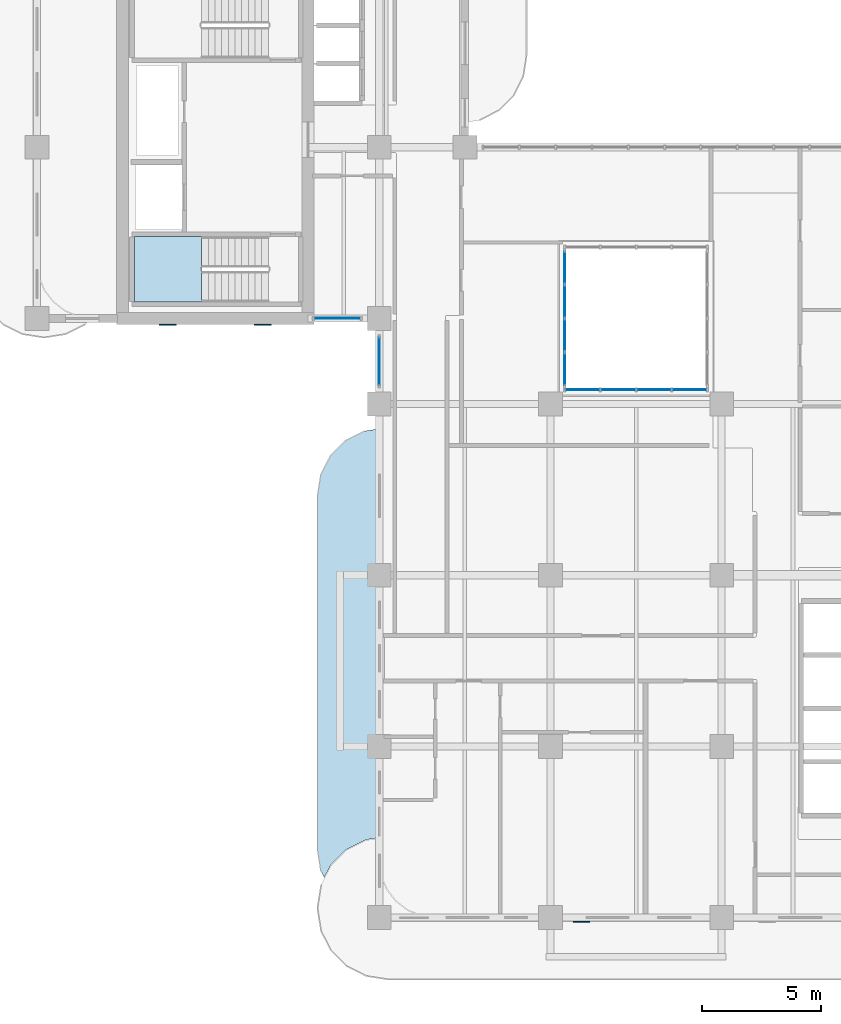
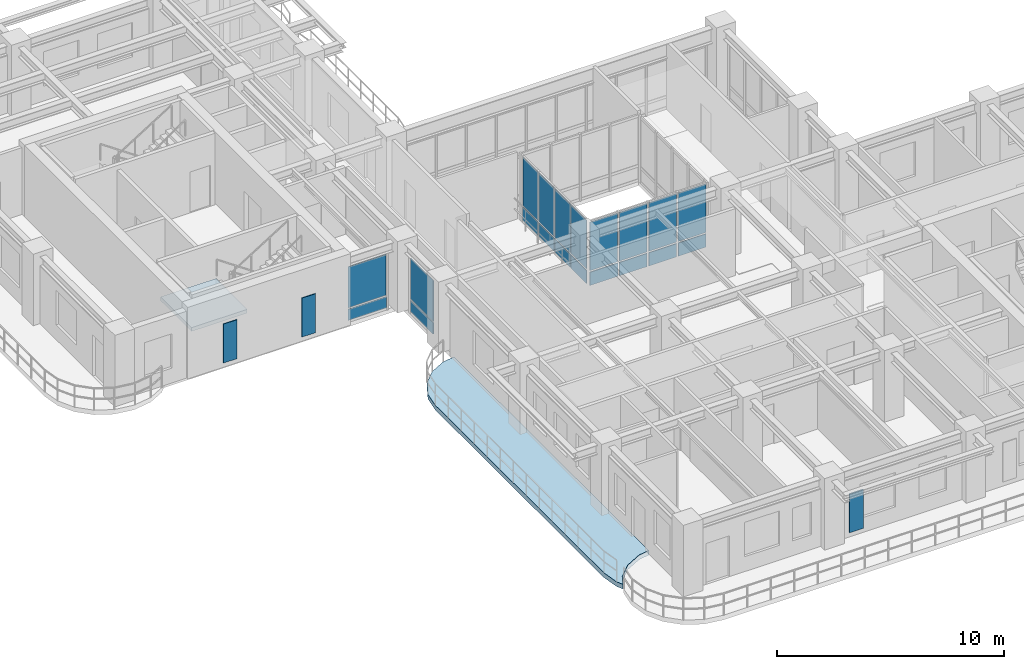
# One storey, part 7 of 20: 23 plates, 2 slabs, 5 elements without a shape of their own.
"""IFC4 building model written with IfcOpenShell, lengths in metres."""

from ifc_helpers import new_model, si_unit, derived_unit, direction, frame, origin, origin_2d, place, context, subcontext, project, spatial, polyline, rectangle, outline, extrude, source, transform, mapped, material, layer, layer_set, type_object, type_shapes, element, aggregate, save


model = new_model("IFC4")

# Units and contexts
model_context = context("Model", 3, precision=1e-05, world=origin(), true_north=direction((0.0, 1.0)))
body_context = subcontext(model_context, "Body", "Model", "MODEL_VIEW")
ifc_project = project(units=[si_unit("LENGTHUNIT", "METRE"), si_unit("AREAUNIT", "SQUARE_METRE"), si_unit("VOLUMEUNIT", "CUBIC_METRE"), si_unit("PLANEANGLEUNIT", "RADIAN"), si_unit("MASSUNIT", "GRAM", prefix="KILO"), si_unit("THERMODYNAMICTEMPERATUREUNIT", "KELVIN"), si_unit("POWERUNIT", "WATT"), derived_unit("THERMALTRANSMITTANCEUNIT", [(si_unit("POWERUNIT", "WATT"), 1), (si_unit("AREAUNIT", "SQUARE_METRE"), -1), (si_unit("THERMODYNAMICTEMPERATUREUNIT", "KELVIN"), -1)])], contexts=[model_context])

# Site, building, storey
site_placement = place(None, origin())
site = spatial("IfcSite", under=ifc_project, at=site_placement, CompositionType="ELEMENT")
building_placement = place(site_placement, origin())
building = spatial("IfcBuilding", under=site, at=building_placement, Name="Zahravan Archway Hotel and Residences", CompositionType="ELEMENT")
storey_placement = place(building_placement, frame((0.0, 0.0, 154.14990234375)))
storey = spatial("IfcBuildingStorey", under=building, at=storey_placement, Name="L38", CompositionType="ELEMENT", Elevation=154.14990234375)

# Slab
ifc_material_1 = material(Name="Concrete C45/55", Category="concrete")
ifc_layer_1 = layer(ifc_material_1, 0.25, Name="Concrete C45/55", Category="concrete")
ifc_layer_set_1 = layer_set([ifc_layer_1], Name="Concrete C45/55")
slab_type_1 = type_object("IfcSlabType", Name="SLB-BALC-250", PredefinedType="FLOOR", material=ifc_layer_set_1)
slab_1_placement = place(storey_placement, frame((0.0, 0.0, -0.25)))
element("IfcSlab", 1, at=slab_1_placement, inside=storey, type_object=slab_type_1, Name="L38 Wing A West Rounded Balcony Band", PredefinedType="FLOOR", context=body_context, shape_type="SweptSolid", body=[
    extrude(outline(polyline([(11.939453125, 1.96923828125), (11.800048828125, 2.85009765625), (11.800048828125, 17.75), (11.939453125, 18.630615234375), (12.34423828125, 19.42529296875), (12.974853515625, 20.0556640625), (13.769287109375, 20.46044921875), (14.3798828125, 20.55712890625), (14.3798828125, 3.361328125), (14.37890625, 3.361328125), (14.376953125, 3.361083984375), (13.835205078125, 3.275390625), (13.833251953125, 3.27490234375), (13.831298828125, 3.2744140625), (13.829345703125, 3.2734375), (13.0068359375, 2.8544921875), (13.005126953125, 2.853515625), (13.00341796875, 2.85205078125), (13.001953125, 2.8505859375), (12.349365234375, 2.197998046875), (12.347900390625, 2.196533203125), (12.3466796875, 2.19482421875), (12.345703125, 2.193115234375), (12.08544921875, 1.6826171875), (11.939453125, 1.96923828125)])), origin(), (0.0, 0.0, 1.0), 0.25),
])

# Stair, slab
ifc_material_2 = material(Name="Concrete C50/60", Category="concrete")
stair_type = type_object("IfcStairType", Name="STR-CORE-1300", PredefinedType="HALF_TURN_STAIR", material=ifc_material_2)
stair_placement = place(storey_placement, origin())
stair = element("IfcStair", 2, at=stair_placement, inside=storey, type_object=stair_type, Name="L38 Core B Exit Stair 1", PredefinedType="HALF_TURN_STAIR")
ifc_layer_2 = layer(ifc_material_2, 0.199951171875, Name="Concrete C50/60", Category="concrete")
ifc_layer_set_2 = layer_set([ifc_layer_2], Name="Concrete C50/60")
slab_type_2 = type_object("IfcSlabType", Name="SLB-LND-200", PredefinedType="LANDING", material=ifc_layer_set_2)
slab_2_placement = place(storey_placement, frame((0.0, 0.0, 1.72509765625)))
slab_2 = element("IfcSlab", 3, at=slab_2_placement, type_object=slab_type_2, Name="ST-B1 landing 1", PredefinedType="LANDING", context=body_context, shape_type="SweptSolid", body=[
    extrude(outline(polyline([(6.929931640625, 28.639892578125), (4.10009765625, 28.639892578125), (4.10009765625, 25.89990234375), (6.929931640625, 25.89990234375), (6.929931640625, 28.639892578125)])), origin(), (0.0, 0.0, 1.0), 0.199951171875),
])
aggregate(stair, [slab_2])

# Plates
ifc_material_3 = material(Name="Perforated Cast Bronze Jali Lattice")
ifc_layer_3 = layer(ifc_material_3, 0.044921875, Name="Perforated Cast Bronze Jali Lattice")
ifc_layer_set_3 = layer_set([ifc_layer_3], Name="Perforated Cast Bronze Jali Lattice")
plate_type_1 = type_object("IfcPlateType", Name="PLT-JALI-BAY", PredefinedType="USERDEFINED", material=ifc_layer_set_3)
shared_shape_1 = source(origin(), body_context, "Body", "SweptSolid", [
    extrude(rectangle(XDim=0.699951171875, YDim=0.044921875, at=origin_2d()), origin(), (0.0, 0.0, 1.0), 2.10009765625),
])
type_shapes(plate_type_1, [shared_shape_1])
for number, where, z_axis, x_axis, name in (
    (4, (5.5, 24.931884765625, 0.25), (0.0, 0.0, 1.0), (1.0, 0.0, 0.0), "L38 Core B South Mughal Jali Screen 1"),
    (5, (9.5, 24.931884765625, 0.25), (0.0, 0.0, 1.0), (1.0, 0.0, 0.0), "L38 Core B South Mughal Jali Screen 2"),
    (6, (22.89990234375, -0.177978515625, 0.25), (0.0, 0.0, 1.0), (1.0, 0.0, 0.0), "L38 Perforated Bronze Jali Pier Screen 01"),
):
    element("IfcPlate", number, at=place(storey_placement, frame(where, z_axis=z_axis, x_axis=x_axis)), inside=storey, type_object=plate_type_1, Name=name, ObjectType="SCREEN", PredefinedType="USERDEFINED", context=body_context, shape_type="MappedRepresentation", body=[
        mapped(shared_shape_1, transform((0.0, 0.0, 0.0), scale=1.0)),
    ])

# Curtain wall, plates
ifc_material_4 = material(Name="Bronze-Anodized Unitised Aluminium & Low-E Glass", Category="aluminium")
ifc_layer_4 = layer(ifc_material_4, 0.179931640625, Name="Bronze-Anodized Unitised Aluminium & Low-E Glass", Category="aluminium")
ifc_layer_set_4 = layer_set([ifc_layer_4], Name="Bronze-Anodized Unitised Aluminium & Low-E Glass")
curtain_wall_type = type_object("IfcCurtainWallType", Name="CW-ATR-GLAZ", PredefinedType="NOTDEFINED", material=ifc_layer_set_4)
curtain_wall_1_placement = place(storey_placement, origin())
curtain_wall_1 = element("IfcCurtainWall", 7, at=curtain_wall_1_placement, inside=storey, type_object=curtain_wall_type, Name="L38 Curtain Wall CW-ATR-L38-S-1", PredefinedType="NOTDEFINED")
ifc_material_5 = material(Name="Insulated Terracotta Spandrel Panel", Category="masonry")
ifc_layer_5 = layer(ifc_material_5, 0.0400390625, Name="Insulated Terracotta Spandrel Panel", Category="masonry")
ifc_layer_set_5 = layer_set([ifc_layer_5], Name="Insulated Terracotta Spandrel Panel")
plate_type_2 = type_object("IfcPlateType", Name="CWP-SPN-40", PredefinedType="SHEET", material=ifc_layer_set_5)
shared_shape_2 = source(origin(), body_context, "Body", "SweptSolid", [
    extrude(rectangle(XDim=1.419921875, YDim=0.0400390625, at=origin_2d()), origin(), (0.0, 0.0, 1.0), 0.7099609375),
])
plate_1_placement = place(storey_placement, frame((22.949951171875, 22.199951171875, 0.10009765625), z_axis=(0.0, 0.0, 1.0), x_axis=(1.0, 0.0, 0.0)))
plate_1 = element("IfcPlate", 8, at=plate_1_placement, type_object=plate_type_2, Name="CW-ATR-L38-S-1 Spandrel Panel 0", PredefinedType="SHEET", context=body_context, shape_type="MappedRepresentation", body=[
    mapped(shared_shape_2, transform((0.0, 0.0, 0.0), scale=1.0)),
])
plate_2_placement = place(storey_placement, frame((24.449951171875, 22.199951171875, 0.10009765625), z_axis=(0.0, 0.0, 1.0), x_axis=(1.0, 0.0, 0.0)))
plate_2 = element("IfcPlate", 9, at=plate_2_placement, type_object=plate_type_2, Name="CW-ATR-L38-S-1 Spandrel Panel 1", PredefinedType="SHEET", context=body_context, shape_type="MappedRepresentation", body=[
    mapped(shared_shape_2, transform((0.0, 0.0, 0.0), scale=1.0)),
])
plate_3_placement = place(storey_placement, frame((25.949951171875, 22.199951171875, 0.10009765625), z_axis=(0.0, 0.0, 1.0), x_axis=(1.0, 0.0, 0.0)))
plate_3 = element("IfcPlate", 10, at=plate_3_placement, type_object=plate_type_2, Name="CW-ATR-L38-S-1 Spandrel Panel 2", PredefinedType="SHEET", context=body_context, shape_type="MappedRepresentation", body=[
    mapped(shared_shape_2, transform((0.0, 0.0, 0.0), scale=1.0)),
])
plate_4_placement = place(storey_placement, frame((27.449951171875, 22.199951171875, 0.10009765625), z_axis=(0.0, 0.0, 1.0), x_axis=(1.0, 0.0, 0.0)))
plate_4 = element("IfcPlate", 11, at=plate_4_placement, type_object=plate_type_2, Name="CW-ATR-L38-S-1 Spandrel Panel 3", PredefinedType="SHEET", context=body_context, shape_type="MappedRepresentation", body=[
    mapped(shared_shape_2, transform((0.0, 0.0, 0.0), scale=1.0)),
])

curtain_wall_2_placement = place(storey_placement, origin())
curtain_wall_2 = element("IfcCurtainWall", 12, at=curtain_wall_2_placement, inside=storey, type_object=curtain_wall_type, Name="L38 Curtain Wall CW-ATR-L38-W-1", PredefinedType="NOTDEFINED")
shared_shape_3 = source(origin(), body_context, "Body", "SweptSolid", [
    extrude(rectangle(XDim=1.344970703125, YDim=0.0400390625, at=origin_2d()), origin(), (0.0, 0.0, 1.0), 0.7099609375),
])
plate_5_placement = place(storey_placement, frame((22.199951171875, 23.0625, 0.10009765625), z_axis=(0.0, 0.0, 1.0), x_axis=(0.0, 1.0, 0.0)))
plate_5 = element("IfcPlate", 13, at=plate_5_placement, type_object=plate_type_2, Name="CW-ATR-L38-W-1 Spandrel Panel 0", PredefinedType="SHEET", context=body_context, shape_type="MappedRepresentation", body=[
    mapped(shared_shape_3, transform((0.0, 0.0, 0.0), scale=1.0)),
])
plate_6_placement = place(storey_placement, frame((22.199951171875, 24.487548828125, 0.10009765625), z_axis=(0.0, 0.0, 1.0), x_axis=(0.0, 1.0, 0.0)))
plate_6 = element("IfcPlate", 14, at=plate_6_placement, type_object=plate_type_2, Name="CW-ATR-L38-W-1 Spandrel Panel 1", PredefinedType="SHEET", context=body_context, shape_type="MappedRepresentation", body=[
    mapped(shared_shape_3, transform((0.0, 0.0, 0.0), scale=1.0)),
])
plate_7_placement = place(storey_placement, frame((22.199951171875, 25.91259765625, 0.10009765625), z_axis=(0.0, 0.0, 1.0), x_axis=(0.0, 1.0, 0.0)))
plate_7 = element("IfcPlate", 15, at=plate_7_placement, type_object=plate_type_2, Name="CW-ATR-L38-W-1 Spandrel Panel 2", PredefinedType="SHEET", context=body_context, shape_type="MappedRepresentation", body=[
    mapped(shared_shape_3, transform((0.0, 0.0, 0.0), scale=1.0)),
])
plate_8_placement = place(storey_placement, frame((22.199951171875, 27.33740234375, 0.10009765625), z_axis=(0.0, 0.0, 1.0), x_axis=(0.0, 1.0, 0.0)))
plate_8 = element("IfcPlate", 16, at=plate_8_placement, type_object=plate_type_2, Name="CW-ATR-L38-W-1 Spandrel Panel 3", PredefinedType="SHEET", context=body_context, shape_type="MappedRepresentation", body=[
    mapped(shared_shape_3, transform((0.0, 0.0, 0.0), scale=1.0)),
])

curtain_wall_3_placement = place(storey_placement, origin())
curtain_wall_3 = element("IfcCurtainWall", 17, at=curtain_wall_3_placement, inside=storey, type_object=curtain_wall_type, Name="L38 Curtain Wall CW-L38-WA-WLU-1", PredefinedType="NOTDEFINED")
shared_shape_4 = source(origin(), body_context, "Body", "SweptSolid", [
    extrude(rectangle(XDim=2.0, YDim=0.0400390625, at=origin_2d()), origin(), (0.0, 0.0, 1.0), 0.600341796875),
])
plate_9_placement = place(storey_placement, frame((14.39990234375, 23.39990234375, 0.10009765625), z_axis=(0.0, 0.0, 1.0), x_axis=(0.0, 1.0, 0.0)))
plate_9 = element("IfcPlate", 18, at=plate_9_placement, type_object=plate_type_2, Name="CW-L38-WA-WLU-1 Spandrel Panel 0", PredefinedType="SHEET", context=body_context, shape_type="MappedRepresentation", body=[
    mapped(shared_shape_4, transform((0.0, 0.0, 0.0), scale=1.0)),
])
ifc_material_6 = material(Name="Double-Silver Low-E Insulated Vision Glass", Category="glass")
ifc_layer_6 = layer(ifc_material_6, 0.028076171875, Name="Double-Silver Low-E Insulated Vision Glass", Category="glass")
ifc_layer_set_6 = layer_set([ifc_layer_6], Name="Double-Silver Low-E Insulated Vision Glass")
plate_type_3 = type_object("IfcPlateType", Name="CWP-GLZ-28", PredefinedType="CURTAIN_PANEL", material=ifc_layer_set_6)
shared_shape_5 = source(origin(), body_context, "Body", "SweptSolid", [
    extrude(rectangle(XDim=2.0, YDim=0.028076171875, at=origin_2d()), origin(), (0.0, 0.0, 1.0), 2.20458984375),
])
plate_10_placement = place(storey_placement, frame((14.39990234375, 23.39990234375, 0.780517578125), z_axis=(0.0, 0.0, 1.0), x_axis=(0.0, 1.0, 0.0)))
plate_10 = element("IfcPlate", 19, at=plate_10_placement, type_object=plate_type_3, Name="CW-L38-WA-WLU-1 Low-E Vision Panel 0", PredefinedType="CURTAIN_PANEL", context=body_context, shape_type="MappedRepresentation", body=[
    mapped(shared_shape_5, transform((0.0, 0.0, 0.0), scale=1.0)),
])
aggregate(curtain_wall_3, [plate_9, plate_10])

curtain_wall_4_placement = place(storey_placement, origin())
curtain_wall_4 = element("IfcCurtainWall", 20, at=curtain_wall_4_placement, inside=storey, type_object=curtain_wall_type, Name="L38 Curtain Wall CW-L38-WB-SE-1", PredefinedType="NOTDEFINED")
shared_shape_6 = source(origin(), body_context, "Body", "SweptSolid", [
    extrude(rectangle(XDim=1.93994140625, YDim=0.0400390625, at=origin_2d()), origin(), (0.0, 0.0, 1.0), 0.600341796875),
])
plate_11_placement = place(storey_placement, frame((12.6298828125, 25.199951171875, 0.10009765625), z_axis=(0.0, 0.0, 1.0), x_axis=(1.0, 0.0, 0.0)))
plate_11 = element("IfcPlate", 21, at=plate_11_placement, type_object=plate_type_2, Name="CW-L38-WB-SE-1 Spandrel Panel 0", PredefinedType="SHEET", context=body_context, shape_type="MappedRepresentation", body=[
    mapped(shared_shape_6, transform((0.0, 0.0, 0.0), scale=1.0)),
])
shared_shape_7 = source(origin(), body_context, "Body", "SweptSolid", [
    extrude(rectangle(XDim=1.93994140625, YDim=0.028076171875, at=origin_2d()), origin(), (0.0, 0.0, 1.0), 2.20458984375),
])
plate_12_placement = place(storey_placement, frame((12.6298828125, 25.199951171875, 0.780517578125), z_axis=(0.0, 0.0, 1.0), x_axis=(1.0, 0.0, 0.0)))
plate_12 = element("IfcPlate", 22, at=plate_12_placement, type_object=plate_type_3, Name="CW-L38-WB-SE-1 Low-E Vision Panel 0", PredefinedType="CURTAIN_PANEL", context=body_context, shape_type="MappedRepresentation", body=[
    mapped(shared_shape_7, transform((0.0, 0.0, 0.0), scale=1.0)),
])
aggregate(curtain_wall_4, [plate_11, plate_12])

# Plate
shared_shape_8 = source(origin(), body_context, "Body", "SweptSolid", [
    extrude(rectangle(XDim=1.419921875, YDim=0.028076171875, at=origin_2d()), origin(), (0.0, 0.0, 1.0), 2.610107421875),
])
plate_13_placement = place(storey_placement, frame((22.949951171875, 22.199951171875, 0.89013671875), z_axis=(0.0, 0.0, 1.0), x_axis=(1.0, 0.0, 0.0)))
plate_13 = element("IfcPlate", 23, at=plate_13_placement, type_object=plate_type_3, Name="CW-ATR-L38-S-1 Low-E Vision Panel 0", PredefinedType="CURTAIN_PANEL", context=body_context, shape_type="MappedRepresentation", body=[
    mapped(shared_shape_8, transform((0.0, 0.0, 0.0), scale=1.0)),
])

plate_14_placement = place(storey_placement, frame((24.449951171875, 22.199951171875, 0.89013671875), z_axis=(0.0, 0.0, 1.0), x_axis=(1.0, 0.0, 0.0)))
plate_14 = element("IfcPlate", 24, at=plate_14_placement, type_object=plate_type_3, Name="CW-ATR-L38-S-1 Low-E Vision Panel 1", PredefinedType="CURTAIN_PANEL", context=body_context, shape_type="MappedRepresentation", body=[
    mapped(shared_shape_8, transform((0.0, 0.0, 0.0), scale=1.0)),
])

plate_15_placement = place(storey_placement, frame((25.949951171875, 22.199951171875, 0.89013671875), z_axis=(0.0, 0.0, 1.0), x_axis=(1.0, 0.0, 0.0)))
plate_15 = element("IfcPlate", 25, at=plate_15_placement, type_object=plate_type_3, Name="CW-ATR-L38-S-1 Low-E Vision Panel 2", PredefinedType="CURTAIN_PANEL", context=body_context, shape_type="MappedRepresentation", body=[
    mapped(shared_shape_8, transform((0.0, 0.0, 0.0), scale=1.0)),
])

plate_16_placement = place(storey_placement, frame((27.449951171875, 22.199951171875, 0.89013671875), z_axis=(0.0, 0.0, 1.0), x_axis=(1.0, 0.0, 0.0)))
plate_16 = element("IfcPlate", 26, at=plate_16_placement, type_object=plate_type_3, Name="CW-ATR-L38-S-1 Low-E Vision Panel 3", PredefinedType="CURTAIN_PANEL", context=body_context, shape_type="MappedRepresentation", body=[
    mapped(shared_shape_8, transform((0.0, 0.0, 0.0), scale=1.0)),
])

aggregate(curtain_wall_1, [plate_1, plate_13, plate_2, plate_14, plate_3, plate_15, plate_4, plate_16])

shared_shape_9 = source(origin(), body_context, "Body", "SweptSolid", [
    extrude(rectangle(XDim=1.344970703125, YDim=0.028076171875, at=origin_2d()), origin(), (0.0, 0.0, 1.0), 2.610107421875),
])
plate_17_placement = place(storey_placement, frame((22.199951171875, 23.0625, 0.89013671875), z_axis=(0.0, 0.0, 1.0), x_axis=(0.0, 1.0, 0.0)))
plate_17 = element("IfcPlate", 27, at=plate_17_placement, type_object=plate_type_3, Name="CW-ATR-L38-W-1 Low-E Vision Panel 0", PredefinedType="CURTAIN_PANEL", context=body_context, shape_type="MappedRepresentation", body=[
    mapped(shared_shape_9, transform((0.0, 0.0, 0.0), scale=1.0)),
])

plate_18_placement = place(storey_placement, frame((22.199951171875, 24.487548828125, 0.89013671875), z_axis=(0.0, 0.0, 1.0), x_axis=(0.0, 1.0, 0.0)))
plate_18 = element("IfcPlate", 28, at=plate_18_placement, type_object=plate_type_3, Name="CW-ATR-L38-W-1 Low-E Vision Panel 1", PredefinedType="CURTAIN_PANEL", context=body_context, shape_type="MappedRepresentation", body=[
    mapped(shared_shape_9, transform((0.0, 0.0, 0.0), scale=1.0)),
])

plate_19_placement = place(storey_placement, frame((22.199951171875, 25.91259765625, 0.89013671875), z_axis=(0.0, 0.0, 1.0), x_axis=(0.0, 1.0, 0.0)))
plate_19 = element("IfcPlate", 29, at=plate_19_placement, type_object=plate_type_3, Name="CW-ATR-L38-W-1 Low-E Vision Panel 2", PredefinedType="CURTAIN_PANEL", context=body_context, shape_type="MappedRepresentation", body=[
    mapped(shared_shape_9, transform((0.0, 0.0, 0.0), scale=1.0)),
])

plate_20_placement = place(storey_placement, frame((22.199951171875, 27.33740234375, 0.89013671875), z_axis=(0.0, 0.0, 1.0), x_axis=(0.0, 1.0, 0.0)))
plate_20 = element("IfcPlate", 30, at=plate_20_placement, type_object=plate_type_3, Name="CW-ATR-L38-W-1 Low-E Vision Panel 3", PredefinedType="CURTAIN_PANEL", context=body_context, shape_type="MappedRepresentation", body=[
    mapped(shared_shape_9, transform((0.0, 0.0, 0.0), scale=1.0)),
])

aggregate(curtain_wall_2, [plate_5, plate_17, plate_6, plate_18, plate_7, plate_19, plate_8, plate_20])

save(model, "model.ifc")
